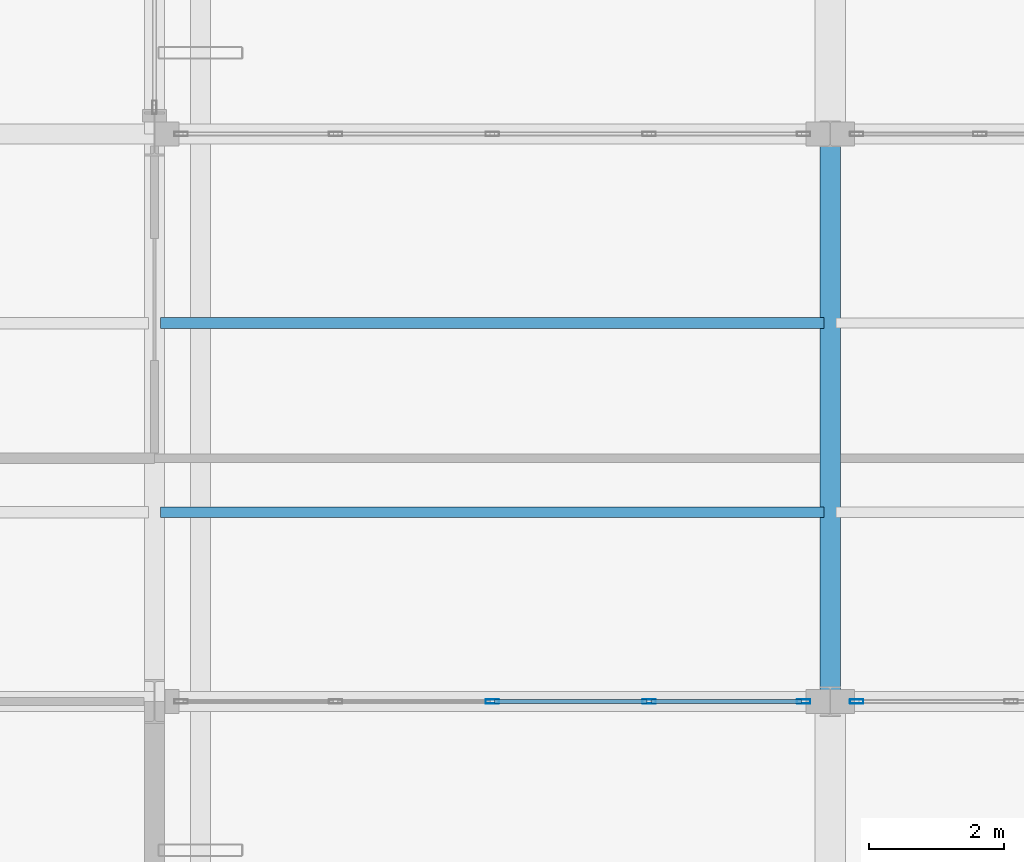
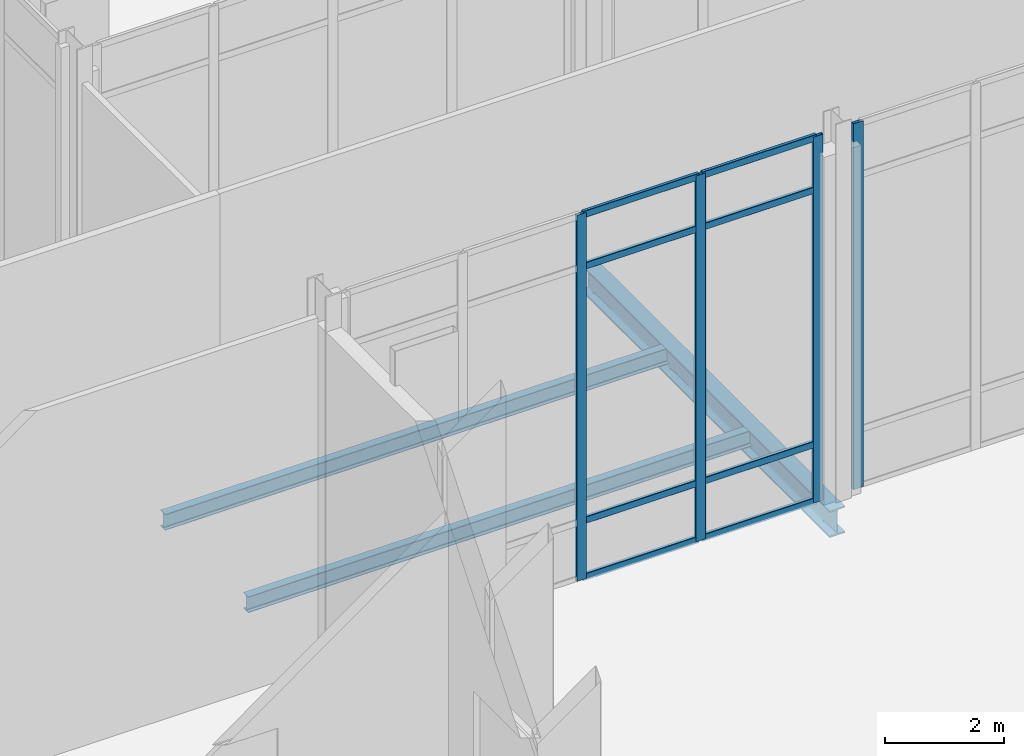
# One storey, part 97 of 176: 12 members, 3 beams, 2 elements without a shape of their own.
"""IFC4 building model written with IfcOpenShell, lengths in metres."""

from ifc_helpers import new_model, si_unit, direction, frame, origin, origin_2d, place, context, subcontext, project, spatial, hollow_rectangle, i_section, extrude, material, layer, layer_set, material_profile, profile_set, type_object, element, aggregate, save


model = new_model("IFC4")

# Units and contexts
model_context = context("Model", 3, precision=1e-05, world=origin(), true_north=direction((0.0, 1.0)))
body_context = subcontext(model_context, "Body", "Model", "MODEL_VIEW")
ifc_project = project(units=[si_unit("LENGTHUNIT", "METRE"), si_unit("AREAUNIT", "SQUARE_METRE"), si_unit("VOLUMEUNIT", "CUBIC_METRE"), si_unit("PLANEANGLEUNIT", "RADIAN"), si_unit("MASSUNIT", "GRAM", prefix="KILO")], contexts=[model_context])

# Site, building, storey
site_placement = place(None, origin())
site = spatial("IfcSite", under=ifc_project, at=site_placement, CompositionType="ELEMENT")
building_placement = place(site_placement, origin())
building = spatial("IfcBuilding", under=site, at=building_placement, Name="Vekula Escarpment Museum", CompositionType="ELEMENT")
storey_placement = place(building_placement, origin())
storey = spatial("IfcBuildingStorey", under=building, at=storey_placement, Name="L01", CompositionType="ELEMENT", Elevation=0.0)

# Beams
ifc_material_1 = material(Name="Steel S355", Category="steel")
ifc_material_profile_1 = material_profile(ifc_material_1, i_section(OverallWidth=0.300048828125, OverallDepth=0.550048828125, WebThickness=0.014892578125, FlangeThickness=0.029052734375, FilletRadius=0.027099609375, at=origin_2d()), Name="HEB 550")
ifc_profile_set_1 = profile_set([ifc_material_profile_1], Name="Steel S355")
beam_type_1 = type_object("IfcBeamType", Name="BM-GIRD-HEB550", PredefinedType="BEAM", material=ifc_profile_set_1)
beam_placement = place(storey_placement, frame((136.0, 68.0, -0.574951171875), z_axis=(0.0, 1.0, 0.0), x_axis=(-1.0, 0.0, 0.0)))
element("IfcBeam", 1, at=beam_placement, inside=storey, type_object=beam_type_1, Name="Beam Y L01 0677", PredefinedType="BEAM", context=body_context, shape_type="SweptSolid", body=[
    extrude(i_section(OverallWidth=0.300048828125, OverallDepth=0.550048828125, WebThickness=0.014892578125, FlangeThickness=0.029052734375, FilletRadius=0.027099609375, at=origin_2d()), origin(), (0.0, 0.0, 1.0), 8.39990234375),
])
ifc_material_2 = material(Name="Steel S355", Category="steel")
ifc_material_profile_2 = material_profile(ifc_material_2, i_section(OverallWidth=0.159912109375, OverallDepth=0.330078125, WebThickness=0.007568359375, FlangeThickness=0.011474609375, FilletRadius=0.01806640625, at=origin_2d()), Name="IPE 330")
ifc_profile_set_2 = profile_set([ifc_material_profile_2], Name="Steel S355")
beam_type_2 = type_object("IfcBeamType", Name="BM-JST-IPE330", PredefinedType="JOIST", material=ifc_profile_set_2)
for number, where, z_axis, x_axis, name in (
    (2, (126.090087890625, 70.800048828125, -0.465087890625), (1.0, 0.0, 0.0), (0.0, 1.0, 0.0), "Secondary Joist L01 0429"),
    (3, (126.090087890625, 73.60009765625, -0.465087890625), (1.0, 0.0, 0.0), (0.0, 1.0, 0.0), "Secondary Joist L01 0430"),
):
    element("IfcBeam", number, at=place(storey_placement, frame(where, z_axis=z_axis, x_axis=x_axis)), inside=storey, type_object=beam_type_2, Name=name, PredefinedType="JOIST", context=body_context, shape_type="SweptSolid", body=[
        extrude(i_section(OverallWidth=0.159912109375, OverallDepth=0.330078125, WebThickness=0.007568359375, FlangeThickness=0.011474609375, FilletRadius=0.01806640625, at=origin_2d()), origin(), (0.0, 0.0, 1.0), 9.81982421875),
    ])

# Curtain wall, members
ifc_material_3 = material(Name="Aluminium thermally broken framing", Category="aluminium")
ifc_layer_1 = layer(ifc_material_3, 0.159912109375)
ifc_layer_set_1 = layer_set([ifc_layer_1], Name="Aluminium thermally broken framing")
curtain_wall_type_1 = type_object("IfcCurtainWallType", Name="CW-SYS-02", PredefinedType="NOTDEFINED", material=ifc_layer_set_1)
curtain_wall_1_placement = place(storey_placement, origin())
curtain_wall_1 = element("IfcCurtainWall", 4, at=curtain_wall_1_placement, inside=storey, type_object=curtain_wall_type_1, Name="Curtain Wall CW-L01-012", PredefinedType="NOTDEFINED")
ifc_material_4 = material(Name="Aluminium anodized mullion", Category="aluminium")
ifc_material_profile_3 = material_profile(ifc_material_4, hollow_rectangle(XDim=0.06494140625, YDim=0.199951171875, WallThickness=0.00390625, InnerFilletRadius=0.00390625, OuterFilletRadius=0.008056640625, at=origin_2d()), Name="ALU 200x65x4")
ifc_profile_set_3 = profile_set([ifc_material_profile_3], Name="Aluminium anodized mullion")
member_type_1 = type_object("IfcMemberType", Name="CW-MUL-200", PredefinedType="MULLION", material=ifc_profile_set_3)
member_1_placement = place(storey_placement, frame((131.0, 68.0, 0.0), z_axis=(0.0, 0.0, 1.0), x_axis=(0.0, 1.0, 0.0)))
member_1 = element("IfcMember", 5, at=member_1_placement, type_object=member_type_1, Name="CW-02 mullion 3", PredefinedType="MULLION", context=body_context, shape_type="SweptSolid", body=[
    extrude(hollow_rectangle(XDim=0.06494140625, YDim=0.199951171875, WallThickness=0.00390625, InnerFilletRadius=0.00390625, OuterFilletRadius=0.008056640625, at=origin_2d()), origin(), (0.0, 0.0, 1.0), 7.5400390625),
])
member_2_placement = place(storey_placement, frame((133.320068359375, 68.0, 0.0), z_axis=(0.0, 0.0, 1.0), x_axis=(0.0, 1.0, 0.0)))
member_2 = element("IfcMember", 6, at=member_2_placement, type_object=member_type_1, Name="CW-02 mullion 4", PredefinedType="MULLION", context=body_context, shape_type="SweptSolid", body=[
    extrude(hollow_rectangle(XDim=0.06494140625, YDim=0.199951171875, WallThickness=0.00390625, InnerFilletRadius=0.00390625, OuterFilletRadius=0.008056640625, at=origin_2d()), origin(), (0.0, 0.0, 1.0), 7.5400390625),
])
member_3_placement = place(storey_placement, frame((135.607421875, 68.0, 0.0), z_axis=(0.0, 0.0, 1.0), x_axis=(0.0, 1.0, 0.0)))
member_3 = element("IfcMember", 7, at=member_3_placement, type_object=member_type_1, Name="CW-02 mullion 5", PredefinedType="MULLION", context=body_context, shape_type="SweptSolid", body=[
    extrude(hollow_rectangle(XDim=0.06494140625, YDim=0.199951171875, WallThickness=0.00390625, InnerFilletRadius=0.00390625, OuterFilletRadius=0.008056640625, at=origin_2d()), origin(), (0.0, 0.0, 1.0), 7.5400390625),
])

# Curtain wall, member
ifc_material_5 = material(Name="Aluminium thermally broken framing", Category="aluminium")
ifc_layer_2 = layer(ifc_material_5, 0.199951171875)
ifc_layer_set_2 = layer_set([ifc_layer_2], Name="Aluminium thermally broken framing")
curtain_wall_type_2 = type_object("IfcCurtainWallType", Name="CW-SYS-03", PredefinedType="NOTDEFINED", material=ifc_layer_set_2)
curtain_wall_2_placement = place(storey_placement, origin())
curtain_wall_2 = element("IfcCurtainWall", 8, at=curtain_wall_2_placement, inside=storey, type_object=curtain_wall_type_2, Name="Curtain Wall CW-L01-013", PredefinedType="NOTDEFINED")
member_4_placement = place(storey_placement, frame((136.392578125, 68.0, 0.0), z_axis=(0.0, 0.0, 1.0), x_axis=(0.0, 1.0, 0.0)))
member_4 = element("IfcMember", 9, at=member_4_placement, type_object=member_type_1, Name="CW-03 mullion 1", PredefinedType="MULLION", context=body_context, shape_type="SweptSolid", body=[
    extrude(hollow_rectangle(XDim=0.06494140625, YDim=0.199951171875, WallThickness=0.00390625, InnerFilletRadius=0.00390625, OuterFilletRadius=0.008056640625, at=origin_2d()), origin(), (0.0, 0.0, 1.0), 7.5400390625),
])
aggregate(curtain_wall_2, [member_4])

# Member
ifc_material_6 = material(Name="Aluminium anodized transom", Category="aluminium")
ifc_material_profile_4 = material_profile(ifc_material_6, hollow_rectangle(XDim=0.06494140625, YDim=0.139892578125, WallThickness=0.00390625, InnerFilletRadius=0.00390625, OuterFilletRadius=0.008056640625, at=origin_2d()), Name="ALU 140x65x4")
ifc_profile_set_4 = profile_set([ifc_material_profile_4], Name="Aluminium anodized transom")
member_type_2 = type_object("IfcMemberType", Name="CW-TRN-140", PredefinedType="USERDEFINED", material=ifc_profile_set_4)
member_5_placement = place(storey_placement, frame((131.032470703125, 68.0, 0.032470703125), z_axis=(1.0, 0.0, 0.0), x_axis=(0.0, 1.0, 0.0)))
member_5 = element("IfcMember", 10, at=member_5_placement, type_object=member_type_2, Name="CW-02 transom 3.1", ObjectType="TRANSOM", PredefinedType="USERDEFINED", context=body_context, shape_type="SweptSolid", body=[
    extrude(hollow_rectangle(XDim=0.06494140625, YDim=0.139892578125, WallThickness=0.00390625, InnerFilletRadius=0.00390625, OuterFilletRadius=0.008056640625, at=origin_2d()), origin(), (0.0, 0.0, 1.0), 2.255126953125),
])

member_6_placement = place(storey_placement, frame((131.032470703125, 68.0, 1.199951171875), z_axis=(1.0, 0.0, 0.0), x_axis=(0.0, 1.0, 0.0)))
member_6 = element("IfcMember", 11, at=member_6_placement, type_object=member_type_2, Name="CW-02 transom 3.2", ObjectType="TRANSOM", PredefinedType="USERDEFINED", context=body_context, shape_type="SweptSolid", body=[
    extrude(hollow_rectangle(XDim=0.06494140625, YDim=0.139892578125, WallThickness=0.00390625, InnerFilletRadius=0.00390625, OuterFilletRadius=0.008056640625, at=origin_2d()), origin(), (0.0, 0.0, 1.0), 2.255126953125),
])

member_7_placement = place(storey_placement, frame((131.032470703125, 68.0, 6.43994140625), z_axis=(1.0, 0.0, 0.0), x_axis=(0.0, 1.0, 0.0)))
member_7 = element("IfcMember", 12, at=member_7_placement, type_object=member_type_2, Name="CW-02 transom 3.3", ObjectType="TRANSOM", PredefinedType="USERDEFINED", context=body_context, shape_type="SweptSolid", body=[
    extrude(hollow_rectangle(XDim=0.06494140625, YDim=0.139892578125, WallThickness=0.00390625, InnerFilletRadius=0.00390625, OuterFilletRadius=0.008056640625, at=origin_2d()), origin(), (0.0, 0.0, 1.0), 2.255126953125),
])

member_8_placement = place(storey_placement, frame((131.032470703125, 68.0, 7.507568359375), z_axis=(1.0, 0.0, 0.0), x_axis=(0.0, 1.0, 0.0)))
member_8 = element("IfcMember", 13, at=member_8_placement, type_object=member_type_2, Name="CW-02 transom 3.4", ObjectType="TRANSOM", PredefinedType="USERDEFINED", context=body_context, shape_type="SweptSolid", body=[
    extrude(hollow_rectangle(XDim=0.06494140625, YDim=0.139892578125, WallThickness=0.00390625, InnerFilletRadius=0.00390625, OuterFilletRadius=0.008056640625, at=origin_2d()), origin(), (0.0, 0.0, 1.0), 2.255126953125),
])

member_9_placement = place(storey_placement, frame((133.3525390625, 68.0, 0.032470703125), z_axis=(1.0, 0.0, 0.0), x_axis=(0.0, 1.0, 0.0)))
member_9 = element("IfcMember", 14, at=member_9_placement, type_object=member_type_2, Name="CW-02 transom 4.1", ObjectType="TRANSOM", PredefinedType="USERDEFINED", context=body_context, shape_type="SweptSolid", body=[
    extrude(hollow_rectangle(XDim=0.06494140625, YDim=0.139892578125, WallThickness=0.00390625, InnerFilletRadius=0.00390625, OuterFilletRadius=0.008056640625, at=origin_2d()), origin(), (0.0, 0.0, 1.0), 2.222412109375),
])

member_10_placement = place(storey_placement, frame((133.3525390625, 68.0, 1.199951171875), z_axis=(1.0, 0.0, 0.0), x_axis=(0.0, 1.0, 0.0)))
member_10 = element("IfcMember", 15, at=member_10_placement, type_object=member_type_2, Name="CW-02 transom 4.2", ObjectType="TRANSOM", PredefinedType="USERDEFINED", context=body_context, shape_type="SweptSolid", body=[
    extrude(hollow_rectangle(XDim=0.06494140625, YDim=0.139892578125, WallThickness=0.00390625, InnerFilletRadius=0.00390625, OuterFilletRadius=0.008056640625, at=origin_2d()), origin(), (0.0, 0.0, 1.0), 2.222412109375),
])

member_11_placement = place(storey_placement, frame((133.3525390625, 68.0, 6.43994140625), z_axis=(1.0, 0.0, 0.0), x_axis=(0.0, 1.0, 0.0)))
member_11 = element("IfcMember", 16, at=member_11_placement, type_object=member_type_2, Name="CW-02 transom 4.3", ObjectType="TRANSOM", PredefinedType="USERDEFINED", context=body_context, shape_type="SweptSolid", body=[
    extrude(hollow_rectangle(XDim=0.06494140625, YDim=0.139892578125, WallThickness=0.00390625, InnerFilletRadius=0.00390625, OuterFilletRadius=0.008056640625, at=origin_2d()), origin(), (0.0, 0.0, 1.0), 2.222412109375),
])

member_12_placement = place(storey_placement, frame((133.3525390625, 68.0, 7.507568359375), z_axis=(1.0, 0.0, 0.0), x_axis=(0.0, 1.0, 0.0)))
member_12 = element("IfcMember", 17, at=member_12_placement, type_object=member_type_2, Name="CW-02 transom 4.4", ObjectType="TRANSOM", PredefinedType="USERDEFINED", context=body_context, shape_type="SweptSolid", body=[
    extrude(hollow_rectangle(XDim=0.06494140625, YDim=0.139892578125, WallThickness=0.00390625, InnerFilletRadius=0.00390625, OuterFilletRadius=0.008056640625, at=origin_2d()), origin(), (0.0, 0.0, 1.0), 2.222412109375),
])

aggregate(curtain_wall_1, [member_1, member_2, member_3, member_5, member_6, member_7, member_8, member_9, member_10, member_11, member_12])

save(model, "model.ifc")
